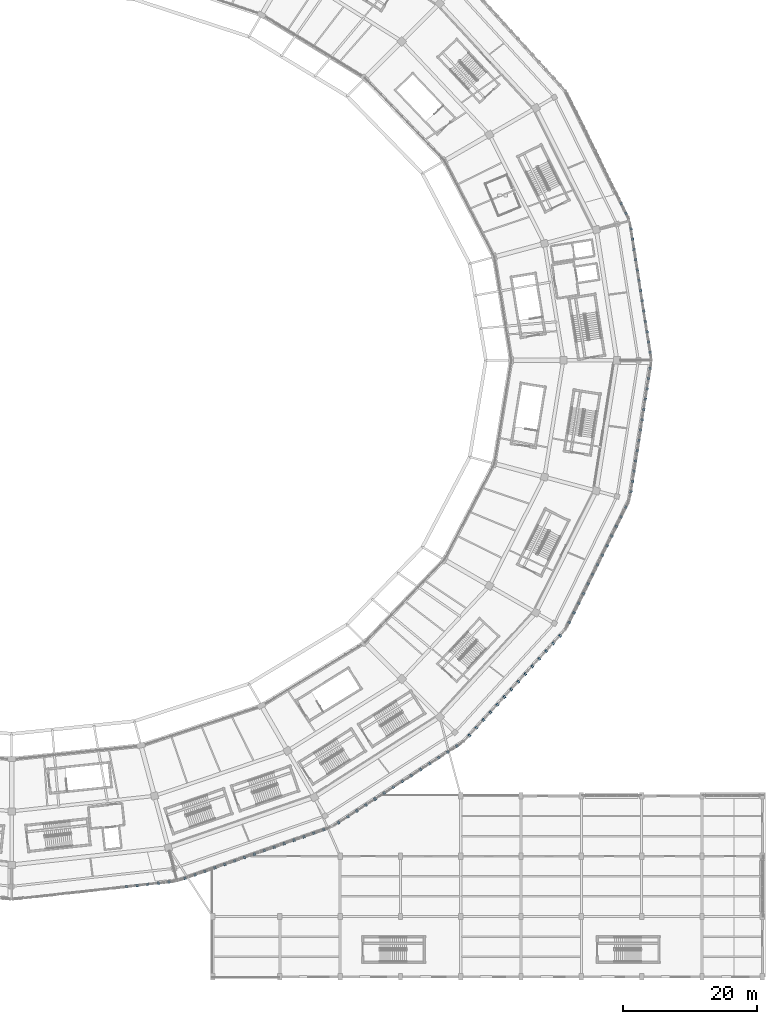
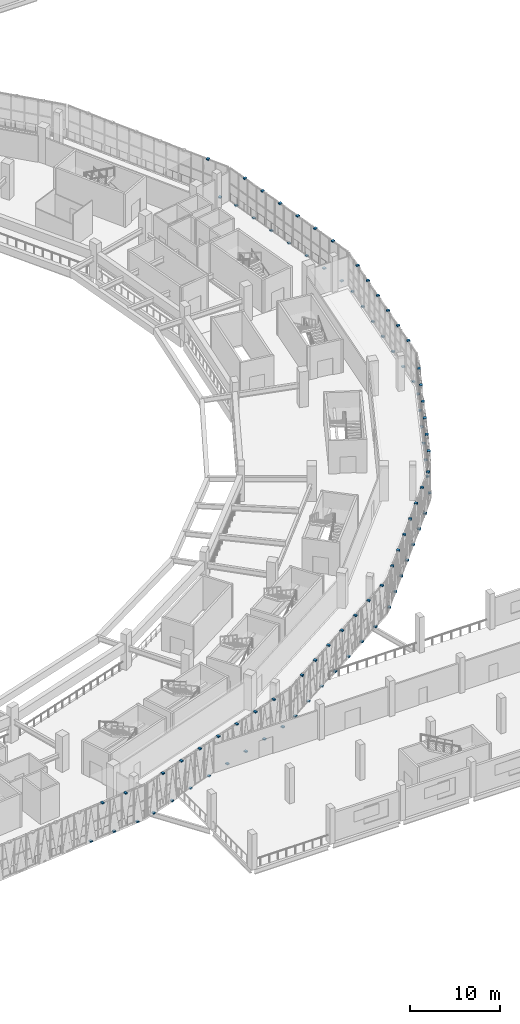
# One storey, part 121 of 179: 89 discrete accessories.
"""IFC4 building model written with IfcOpenShell, lengths in metres."""

from ifc_helpers import new_model, si_unit, direction, frame, origin, origin_2d, place, context, subcontext, project, spatial, rectangle, extrude, material, layer, layer_set, type_object, element, save


model = new_model("IFC4")

# Units and contexts
model_context = context("Model", 3, precision=1e-05, world=origin(), true_north=direction((0.0, 1.0)))
body_context = subcontext(model_context, "Body", "Model", "MODEL_VIEW")
ifc_project = project(units=[si_unit("LENGTHUNIT", "METRE"), si_unit("AREAUNIT", "SQUARE_METRE"), si_unit("VOLUMEUNIT", "CUBIC_METRE"), si_unit("PLANEANGLEUNIT", "RADIAN"), si_unit("MASSUNIT", "GRAM", prefix="KILO")], contexts=[model_context])

# Site, building, storey
site_placement = place(None, origin())
site = spatial("IfcSite", under=ifc_project, at=site_placement, CompositionType="ELEMENT")
building_placement = place(site_placement, origin())
building = spatial("IfcBuilding", under=site, at=building_placement, Name="Zevraka Park Crest Stadium", CompositionType="ELEMENT")
storey_placement = place(building_placement, frame((0.0, 0.0, 10.199951171875)))
storey = spatial("IfcBuildingStorey", under=building, at=storey_placement, Name="L02", CompositionType="ELEMENT", Elevation=10.199951171875)

# Discrete accessories
ifc_material = material(Name="Galvanised steel bracketry", Category="steel")
ifc_layer = layer(ifc_material, 0.1201171875)
ifc_layer_set = layer_set([ifc_layer], Name="Galvanised steel bracketry")
discrete_accessory_type = type_object("IfcDiscreteAccessoryType", Name="BRK01", PredefinedType="BRACKET", material=ifc_layer_set)
for number, where, z_axis, x_axis, name in (
    (1, (207.251953125, 93.202880859375, -0.15966796875), (0.0, 0.0, 1.0), (-0.15436551383, 0.988013809691, 0.0), "Bronze Screen Carrier Bracket BRK01 L02-00-1"),
    (2, (207.011962890625, 94.737060546875, 4.35986328125), (0.0, 0.0, 1.0), (-0.15436551383, 0.988013809691, 0.0), "Bronze Screen Carrier Bracket BRK01 L02-00-2"),
    (3, (206.77197265625, 96.27099609375, -0.15966796875), (0.0, 0.0, 1.0), (-0.15436551383, 0.988013809691, 0.0), "Bronze Screen Carrier Bracket BRK01 L02-00-3"),
    (4, (206.532958984375, 97.805908203125, 4.35986328125), (0.0, 0.0, 1.0), (-0.15436551383, 0.988013809691, 0.0), "Bronze Screen Carrier Bracket BRK01 L02-00-4"),
    (5, (206.29296875, 99.340087890625, -0.15966796875), (0.0, 0.0, 1.0), (-0.15436551383, 0.988013809691, 0.0), "Bronze Screen Carrier Bracket BRK01 L02-00-5"),
    (6, (206.053955078125, 100.8740234375, 4.35986328125), (0.0, 0.0, 1.0), (-0.15436551383, 0.988013809691, 0.0), "Bronze Screen Carrier Bracket BRK01 L02-00-6"),
    (7, (205.81396484375, 102.407958984375, -0.15966796875), (0.0, 0.0, 1.0), (-0.15436551383, 0.988013809691, 0.0), "Bronze Screen Carrier Bracket BRK01 L02-00-7"),
    (8, (205.573974609375, 103.943115234375, 4.35986328125), (0.0, 0.0, 1.0), (-0.15436551383, 0.988013809691, 0.0), "Bronze Screen Carrier Bracket BRK01 L02-00-8"),
    (9, (205.3349609375, 105.47705078125, -0.15966796875), (0.0, 0.0, 1.0), (-0.15436551383, 0.988013809691, 0.0), "Bronze Screen Carrier Bracket BRK01 L02-00-9"),
    (10, (205.094970703125, 107.010986328125, 4.35986328125), (0.0, 0.0, 1.0), (-0.15436551383, 0.988013809691, 0.0), "Bronze Screen Carrier Bracket BRK01 L02-00-10"),
    (11, (204.85595703125, 108.5458984375, -0.15966796875), (0.0, 0.0, 1.0), (-0.15436551383, 0.988013809691, 0.0), "Bronze Screen Carrier Bracket BRK01 L02-00-11"),
    (12, (204.615966796875, 110.080078125, 4.35986328125), (0.0, 0.0, 1.0), (-0.15436551383, 0.988013809691, 0.0), "Bronze Screen Carrier Bracket BRK01 L02-00-12"),
    (13, (204.3759765625, 111.614013671875, -0.15966796875), (0.0, 0.0, 1.0), (-0.15436551383, 0.988013809691, 0.0), "Bronze Screen Carrier Bracket BRK01 L02-00-13"),
    (14, (203.64208984375, 113.928955078125, -0.15966796875), (0.0, 0.0, 1.0), (-0.441035988909, 0.897489418593, 0.0), "Bronze Screen Carrier Bracket BRK01 L02-01-1"),
    (15, (202.93798828125, 115.360107421875, 4.35986328125), (0.0, 0.0, 1.0), (-0.441035988909, 0.897489418593, 0.0), "Bronze Screen Carrier Bracket BRK01 L02-01-2"),
    (16, (129.115966796875, 13.4599609375, -0.15966796875), (0.0, 0.0, 1.0), (0.993903362457, 0.110254732764, 0.0), "Bronze Screen Carrier Bracket BRK01 L02-18-11"),
    (17, (130.7041015625, 13.635986328125, 4.35986328125), (0.0, 0.0, 1.0), (0.993903362457, 0.110254732764, 0.0), "Bronze Screen Carrier Bracket BRK01 L02-18-12"),
    (18, (132.2919921875, 13.81298828125, -0.15966796875), (0.0, 0.0, 1.0), (0.993903362457, 0.110254732764, 0.0), "Bronze Screen Carrier Bracket BRK01 L02-18-13"),
    (19, (133.8798828125, 13.989013671875, 4.35986328125), (0.0, 0.0, 1.0), (0.993903362457, 0.110254732764, 0.0), "Bronze Screen Carrier Bracket BRK01 L02-18-14"),
    (20, (135.468994140625, 14.1650390625, -0.15966796875), (0.0, 0.0, 1.0), (0.993903362457, 0.110254732764, 0.0), "Bronze Screen Carrier Bracket BRK01 L02-18-15"),
    (21, (137.861083984375, 14.70703125, -0.15966796875), (0.0, 0.0, 1.0), (0.944089020393, 0.329690645263, 0.0), "Bronze Screen Carrier Bracket BRK01 L02-19-1"),
    (22, (139.340087890625, 15.222900390625, 4.35986328125), (0.0, 0.0, 1.0), (0.944089020393, 0.329690645263, 0.0), "Bronze Screen Carrier Bracket BRK01 L02-19-2"),
    (23, (140.819091796875, 15.739013671875, -0.15966796875), (0.0, 0.0, 1.0), (0.944089020393, 0.329690645263, 0.0), "Bronze Screen Carrier Bracket BRK01 L02-19-3"),
    (24, (142.298095703125, 16.256103515625, 4.35986328125), (0.0, 0.0, 1.0), (0.944089020393, 0.329690645263, 0.0), "Bronze Screen Carrier Bracket BRK01 L02-19-4"),
    (25, (143.777099609375, 16.77197265625, -0.15966796875), (0.0, 0.0, 1.0), (0.944089020393, 0.329690645263, 0.0), "Bronze Screen Carrier Bracket BRK01 L02-19-5"),
    (26, (145.256103515625, 17.2880859375, 4.35986328125), (0.0, 0.0, 1.0), (0.944089020393, 0.329690645263, 0.0), "Bronze Screen Carrier Bracket BRK01 L02-19-6"),
    (27, (146.735107421875, 17.804931640625, -0.15966796875), (0.0, 0.0, 1.0), (0.944089020393, 0.329690645263, 0.0), "Bronze Screen Carrier Bracket BRK01 L02-19-7"),
    (28, (148.214111328125, 18.321044921875, 4.35986328125), (0.0, 0.0, 1.0), (0.944089020393, 0.329690645263, 0.0), "Bronze Screen Carrier Bracket BRK01 L02-19-8"),
    (29, (149.69189453125, 18.8369140625, -0.15966796875), (0.0, 0.0, 1.0), (0.944089020393, 0.329690645263, 0.0), "Bronze Screen Carrier Bracket BRK01 L02-19-9"),
    (30, (151.1708984375, 19.35400390625, 4.35986328125), (0.0, 0.0, 1.0), (0.944089020393, 0.329690645263, 0.0), "Bronze Screen Carrier Bracket BRK01 L02-19-10"),
    (31, (152.64990234375, 19.8701171875, -0.15966796875), (0.0, 0.0, 1.0), (0.944089020393, 0.329690645263, 0.0), "Bronze Screen Carrier Bracket BRK01 L02-19-11"),
    (32, (154.12890625, 20.385986328125, 4.35986328125), (0.0, 0.0, 1.0), (0.944089020393, 0.329690645263, 0.0), "Bronze Screen Carrier Bracket BRK01 L02-19-12"),
    (33, (155.60791015625, 20.903076171875, -0.15966796875), (0.0, 0.0, 1.0), (0.944089020393, 0.329690645263, 0.0), "Bronze Screen Carrier Bracket BRK01 L02-19-13"),
    (34, (157.0869140625, 21.4189453125, 4.35986328125), (0.0, 0.0, 1.0), (0.944089020393, 0.329690645263, 0.0), "Bronze Screen Carrier Bracket BRK01 L02-19-14"),
    (35, (158.56591796875, 21.93505859375, -0.15966796875), (0.0, 0.0, 1.0), (0.944089020393, 0.329690645263, 0.0), "Bronze Screen Carrier Bracket BRK01 L02-19-15"),
    (36, (160.77392578125, 23.01904296875, -0.15966796875), (0.0, 0.0, 1.0), (0.839714653571, 0.543027900367, 0.0), "Bronze Screen Carrier Bracket BRK01 L02-20-1"),
    (37, (162.133056640625, 23.89794921875, 4.35986328125), (0.0, 0.0, 1.0), (0.839714653571, 0.543027900367, 0.0), "Bronze Screen Carrier Bracket BRK01 L02-20-2"),
    (38, (163.491943359375, 24.777099609375, -0.15966796875), (0.0, 0.0, 1.0), (0.839714653571, 0.543027900367, 0.0), "Bronze Screen Carrier Bracket BRK01 L02-20-3"),
    (39, (164.85107421875, 25.655029296875, 4.35986328125), (0.0, 0.0, 1.0), (0.839714653571, 0.543027900367, 0.0), "Bronze Screen Carrier Bracket BRK01 L02-20-4"),
    (40, (166.208984375, 26.533935546875, -0.15966796875), (0.0, 0.0, 1.0), (0.839714653571, 0.543027900367, 0.0), "Bronze Screen Carrier Bracket BRK01 L02-20-5"),
    (41, (167.568115234375, 27.4130859375, 4.35986328125), (0.0, 0.0, 1.0), (0.839714653571, 0.543027900367, 0.0), "Bronze Screen Carrier Bracket BRK01 L02-20-6"),
    (42, (168.927001953125, 28.2919921875, -0.15966796875), (0.0, 0.0, 1.0), (0.839714653571, 0.543027900367, 0.0), "Bronze Screen Carrier Bracket BRK01 L02-20-7"),
    (43, (170.285888671875, 29.1708984375, 4.35986328125), (0.0, 0.0, 1.0), (0.839714653571, 0.543027900367, 0.0), "Bronze Screen Carrier Bracket BRK01 L02-20-8"),
    (44, (171.64501953125, 30.050048828125, -0.15966796875), (0.0, 0.0, 1.0), (0.839714653571, 0.543027900367, 0.0), "Bronze Screen Carrier Bracket BRK01 L02-20-9"),
    (45, (173.00390625, 30.928955078125, 4.35986328125), (0.0, 0.0, 1.0), (0.839714653571, 0.543027900367, 0.0), "Bronze Screen Carrier Bracket BRK01 L02-20-10"),
    (46, (174.362060546875, 31.80810546875, -0.15966796875), (0.0, 0.0, 1.0), (0.839714653571, 0.543027900367, 0.0), "Bronze Screen Carrier Bracket BRK01 L02-20-11"),
    (47, (175.720947265625, 32.68603515625, 4.35986328125), (0.0, 0.0, 1.0), (0.839714653571, 0.543027900367, 0.0), "Bronze Screen Carrier Bracket BRK01 L02-20-12"),
    (48, (177.080078125, 33.56494140625, -0.15966796875), (0.0, 0.0, 1.0), (0.839714653571, 0.543027900367, 0.0), "Bronze Screen Carrier Bracket BRK01 L02-20-13"),
    (49, (178.43896484375, 34.444091796875, 4.35986328125), (0.0, 0.0, 1.0), (0.839714653571, 0.543027900367, 0.0), "Bronze Screen Carrier Bracket BRK01 L02-20-14"),
    (50, (180.30810546875, 36.02197265625, -0.15966796875), (0.0, 0.0, 1.0), (0.673141593237, 0.739513620871, 0.0), "Bronze Screen Carrier Bracket BRK01 L02-21-1"),
    (51, (181.34912109375, 37.166015625, 4.35986328125), (0.0, 0.0, 1.0), (0.673141593237, 0.739513620871, 0.0), "Bronze Screen Carrier Bracket BRK01 L02-21-2"),
    (52, (182.389892578125, 38.30908203125, -0.15966796875), (0.0, 0.0, 1.0), (0.673141593237, 0.739513620871, 0.0), "Bronze Screen Carrier Bracket BRK01 L02-21-3"),
    (53, (183.429931640625, 39.451904296875, 4.35986328125), (0.0, 0.0, 1.0), (0.673141593237, 0.739513620871, 0.0), "Bronze Screen Carrier Bracket BRK01 L02-21-4"),
    (54, (184.470947265625, 40.595947265625, -0.15966796875), (0.0, 0.0, 1.0), (0.673141593237, 0.739513620871, 0.0), "Bronze Screen Carrier Bracket BRK01 L02-21-5"),
    (55, (185.511962890625, 41.739013671875, 4.35986328125), (0.0, 0.0, 1.0), (0.673141593237, 0.739513620871, 0.0), "Bronze Screen Carrier Bracket BRK01 L02-21-6"),
    (56, (186.552978515625, 42.882080078125, -0.15966796875), (0.0, 0.0, 1.0), (0.673141593237, 0.739513620871, 0.0), "Bronze Screen Carrier Bracket BRK01 L02-21-7"),
    (57, (187.593017578125, 44.02587890625, 4.35986328125), (0.0, 0.0, 1.0), (0.673141593237, 0.739513620871, 0.0), "Bronze Screen Carrier Bracket BRK01 L02-21-8"),
    (58, (188.634033203125, 45.1689453125, -0.15966796875), (0.0, 0.0, 1.0), (0.673141593237, 0.739513620871, 0.0), "Bronze Screen Carrier Bracket BRK01 L02-21-9"),
    (59, (189.675048828125, 46.31201171875, 4.35986328125), (0.0, 0.0, 1.0), (0.673141593237, 0.739513620871, 0.0), "Bronze Screen Carrier Bracket BRK01 L02-21-10"),
    (60, (190.716064453125, 47.4560546875, -0.15966796875), (0.0, 0.0, 1.0), (0.673141593237, 0.739513620871, 0.0), "Bronze Screen Carrier Bracket BRK01 L02-21-11"),
    (61, (191.756103515625, 48.59912109375, 4.35986328125), (0.0, 0.0, 1.0), (0.673141593237, 0.739513620871, 0.0), "Bronze Screen Carrier Bracket BRK01 L02-21-12"),
    (62, (192.797119140625, 49.741943359375, -0.15966796875), (0.0, 0.0, 1.0), (0.673141593237, 0.739513620871, 0.0), "Bronze Screen Carrier Bracket BRK01 L02-21-13"),
    (63, (193.837890625, 50.885986328125, 4.35986328125), (0.0, 0.0, 1.0), (0.673141593237, 0.739513620871, 0.0), "Bronze Screen Carrier Bracket BRK01 L02-21-14"),
    (64, (195.200927734375, 52.89599609375, -0.15966796875), (0.0, 0.0, 1.0), (0.441035988909, 0.897489418593, 0.0), "Bronze Screen Carrier Bracket BRK01 L02-22-1"),
    (65, (195.905029296875, 54.326904296875, 4.35986328125), (0.0, 0.0, 1.0), (0.441035988909, 0.897489418593, 0.0), "Bronze Screen Carrier Bracket BRK01 L02-22-2"),
    (66, (196.60791015625, 55.758056640625, -0.15966796875), (0.0, 0.0, 1.0), (0.441035988909, 0.897489418593, 0.0), "Bronze Screen Carrier Bracket BRK01 L02-22-3"),
    (67, (197.31103515625, 57.18994140625, 4.35986328125), (0.0, 0.0, 1.0), (0.441035988909, 0.897489418593, 0.0), "Bronze Screen Carrier Bracket BRK01 L02-22-4"),
    (68, (198.014892578125, 58.62109375, -0.15966796875), (0.0, 0.0, 1.0), (0.441035988909, 0.897489418593, 0.0), "Bronze Screen Carrier Bracket BRK01 L02-22-5"),
    (69, (198.718017578125, 60.052001953125, 4.35986328125), (0.0, 0.0, 1.0), (0.441035988909, 0.897489418593, 0.0), "Bronze Screen Carrier Bracket BRK01 L02-22-6"),
    (70, (199.422119140625, 61.48388671875, -0.15966796875), (0.0, 0.0, 1.0), (0.441035988909, 0.897489418593, 0.0), "Bronze Screen Carrier Bracket BRK01 L02-22-7"),
    (71, (200.125, 62.9150390625, 4.35986328125), (0.0, 0.0, 1.0), (0.441035988909, 0.897489418593, 0.0), "Bronze Screen Carrier Bracket BRK01 L02-22-8"),
    (72, (200.827880859375, 64.345947265625, -0.15966796875), (0.0, 0.0, 1.0), (0.441035988909, 0.897489418593, 0.0), "Bronze Screen Carrier Bracket BRK01 L02-22-9"),
    (73, (201.531982421875, 65.777099609375, 4.35986328125), (0.0, 0.0, 1.0), (0.441035988909, 0.897489418593, 0.0), "Bronze Screen Carrier Bracket BRK01 L02-22-10"),
    (74, (202.235107421875, 67.208984375, -0.15966796875), (0.0, 0.0, 1.0), (0.441035988909, 0.897489418593, 0.0), "Bronze Screen Carrier Bracket BRK01 L02-22-11"),
    (75, (202.93798828125, 68.639892578125, 4.35986328125), (0.0, 0.0, 1.0), (0.441035988909, 0.897489418593, 0.0), "Bronze Screen Carrier Bracket BRK01 L02-22-12"),
    (76, (203.64208984375, 70.071044921875, -0.15966796875), (0.0, 0.0, 1.0), (0.441035988909, 0.897489418593, 0.0), "Bronze Screen Carrier Bracket BRK01 L02-22-13"),
    (77, (204.3759765625, 72.385986328125, -0.15966796875), (0.0, 0.0, 1.0), (0.15436551383, 0.988013809691, 0.0), "Bronze Screen Carrier Bracket BRK01 L02-23-1"),
    (78, (204.615966796875, 73.919921875, 4.35986328125), (0.0, 0.0, 1.0), (0.15436551383, 0.988013809691, 0.0), "Bronze Screen Carrier Bracket BRK01 L02-23-2"),
    (79, (204.85595703125, 75.4541015625, -0.15966796875), (0.0, 0.0, 1.0), (0.15436551383, 0.988013809691, 0.0), "Bronze Screen Carrier Bracket BRK01 L02-23-3"),
    (80, (205.094970703125, 76.989013671875, 4.35986328125), (0.0, 0.0, 1.0), (0.15436551383, 0.988013809691, 0.0), "Bronze Screen Carrier Bracket BRK01 L02-23-4"),
    (81, (205.3349609375, 78.52294921875, -0.15966796875), (0.0, 0.0, 1.0), (0.15436551383, 0.988013809691, 0.0), "Bronze Screen Carrier Bracket BRK01 L02-23-5"),
    (82, (205.573974609375, 80.056884765625, 4.35986328125), (0.0, 0.0, 1.0), (0.15436551383, 0.988013809691, 0.0), "Bronze Screen Carrier Bracket BRK01 L02-23-6"),
    (83, (205.81396484375, 81.591064453125, -0.15966796875), (0.0, 0.0, 1.0), (0.15436551383, 0.988013809691, 0.0), "Bronze Screen Carrier Bracket BRK01 L02-23-7"),
    (84, (206.053955078125, 83.1259765625, 4.35986328125), (0.0, 0.0, 1.0), (0.15436551383, 0.988013809691, 0.0), "Bronze Screen Carrier Bracket BRK01 L02-23-8"),
    (85, (206.29296875, 84.659912109375, -0.15966796875), (0.0, 0.0, 1.0), (0.15436551383, 0.988013809691, 0.0), "Bronze Screen Carrier Bracket BRK01 L02-23-9"),
    (86, (206.532958984375, 86.194091796875, 4.35986328125), (0.0, 0.0, 1.0), (0.15436551383, 0.988013809691, 0.0), "Bronze Screen Carrier Bracket BRK01 L02-23-10"),
    (87, (206.77197265625, 87.72900390625, -0.15966796875), (0.0, 0.0, 1.0), (0.15436551383, 0.988013809691, 0.0), "Bronze Screen Carrier Bracket BRK01 L02-23-11"),
    (88, (207.011962890625, 89.262939453125, 4.35986328125), (0.0, 0.0, 1.0), (0.15436551383, 0.988013809691, 0.0), "Bronze Screen Carrier Bracket BRK01 L02-23-12"),
    (89, (207.251953125, 90.797119140625, -0.15966796875), (0.0, 0.0, 1.0), (0.15436551383, 0.988013809691, 0.0), "Bronze Screen Carrier Bracket BRK01 L02-23-13"),
):
    element("IfcDiscreteAccessory", number, at=place(storey_placement, frame(where, z_axis=z_axis, x_axis=x_axis)), inside=storey, type_object=discrete_accessory_type, Name=name, PredefinedType="BRACKET", context=body_context, shape_type="SweptSolid", body=[
        extrude(rectangle(XDim=0.320068359375, YDim=0.360107421875, at=origin_2d()), origin(), (0.0, 0.0, 1.0), 0.159912109375),
    ])

save(model, "model.ifc")
